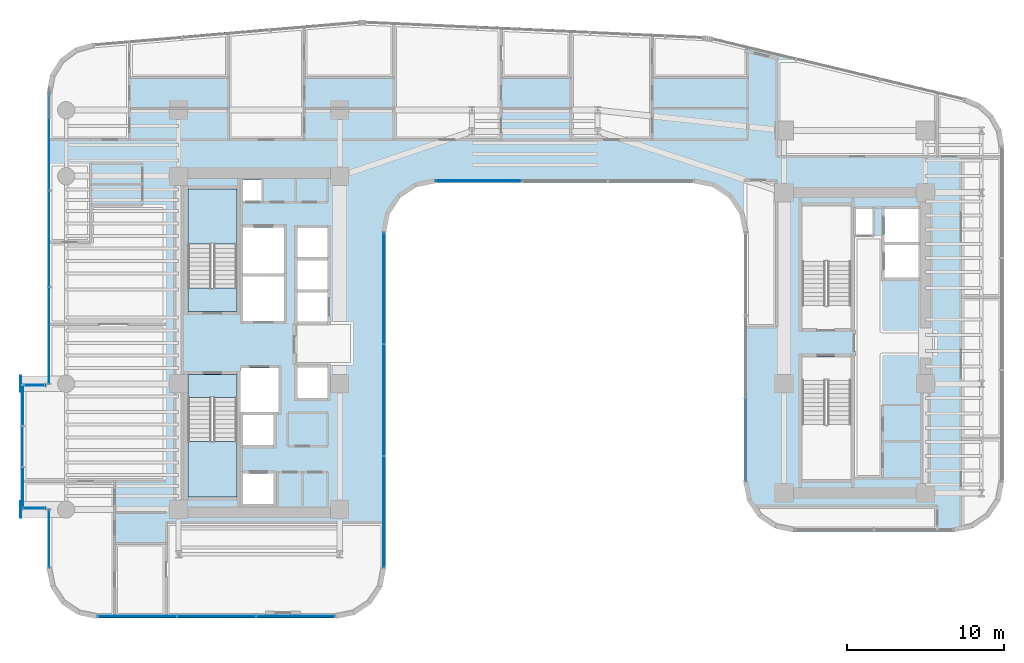
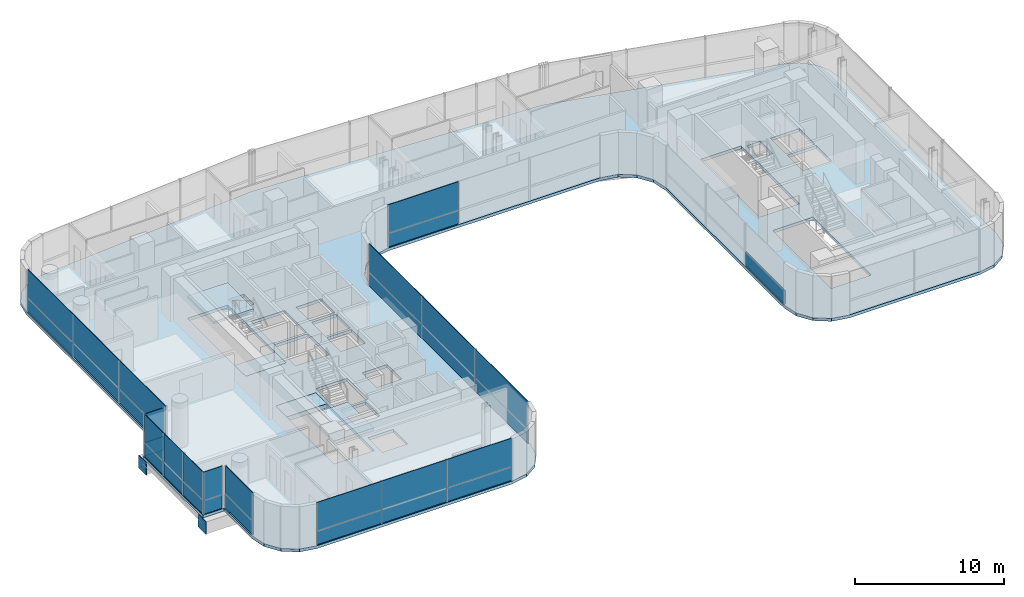
# One storey, part 26 of 38: 31 plates, 5 slabs, 11 elements without a shape of their own.
"""IFC4 building model written with IfcOpenShell, lengths in metres."""

from ifc_helpers import new_model, si_unit, direction, frame, origin, origin_2d, place, context, subcontext, project, spatial, polyline, rectangle, outline, extrude, source, transform, mapped, material, layer, layer_set, type_object, element, aggregate, save


model = new_model("IFC4")

# Units and contexts
model_context = context("Model", 3, precision=1e-05, world=origin(), true_north=direction((0.0, 1.0)))
body_context = subcontext(model_context, "Body", "Model", "MODEL_VIEW")
ifc_project = project(units=[si_unit("LENGTHUNIT", "METRE"), si_unit("AREAUNIT", "SQUARE_METRE"), si_unit("VOLUMEUNIT", "CUBIC_METRE"), si_unit("PLANEANGLEUNIT", "RADIAN"), si_unit("MASSUNIT", "GRAM", prefix="KILO")], contexts=[model_context])

# Site, building, storey
site_placement = place(None, origin())
site = spatial("IfcSite", under=ifc_project, at=site_placement, CompositionType="ELEMENT")
building_placement = place(site_placement, origin())
building = spatial("IfcBuilding", under=site, at=building_placement, Name="Valdorenza Pilgrim Sanctuary Tower", CompositionType="ELEMENT")
storey_placement = place(building_placement, frame((0.0, 0.0, 131.60009765625)))
storey = spatial("IfcBuildingStorey", under=building, at=storey_placement, Name="L33", CompositionType="ELEMENT", Elevation=131.60009765625)

# Slab
ifc_material_1 = material(Name="Concrete C40/50", Category="concrete")
ifc_layer_1 = layer(ifc_material_1, 0.239990234375, Name="Concrete C40/50")
ifc_layer_set_1 = layer_set([ifc_layer_1], Name="Concrete C40/50")
slab_type_1 = type_object("IfcSlabType", Name="SLAB-FLR-220", PredefinedType="FLOOR", material=ifc_layer_set_1)
slab_1_placement = place(storey_placement, frame((0.0, 0.0, -0.239990234375)))
element("IfcSlab", 1, at=slab_1_placement, inside=storey, type_object=slab_type_1, Name="L33 Structural Floor Slab 1", PredefinedType="FLOOR", context=body_context, shape_type="SweptSolid", body=[
    extrude(outline(polyline([(-32.64990234375, -2.60009765625), (-31.0, -2.60009765625), (-31.0, 15.860595703125), (-30.78173828125, 17.022216796875), (-30.156494140625, 18.025390625), (-29.2099609375, 18.733154296875), (-28.071044921875, 19.049072265625), (-11.2080078125, 20.482421875), (-11.0, 20.4931640625), (-10.79150390625, 20.490478515625), (10.6962890625, 19.513916015625), (10.847412109375, 19.50341796875), (10.998046875, 19.485595703125), (11.147705078125, 19.4609375), (11.2958984375, 19.42919921875), (27.344970703125, 15.587646484375), (28.323974609375, 15.17138671875), (29.1123046875, 14.45751953125), (29.623291015625, 13.5244140625), (29.800048828125, 12.4755859375), (29.800048828125, -8.800048828125), (29.556396484375, -10.024658203125), (28.86279296875, -11.062744140625), (27.82470703125, -11.75634765625), (26.60009765625, -12.0), (16.5, -12.0), (15.275390625, -11.75634765625), (14.2373046875, -11.062744140625), (13.543701171875, -10.024658203125), (13.300048828125, -8.800048828125), (13.300048828125, 7.0), (13.056396484375, 8.224609375), (12.36279296875, 9.2626953125), (11.32470703125, 9.956298828125), (10.10009765625, 10.199951171875), (-6.300048828125, 10.199951171875), (-7.524658203125, 9.956298828125), (-8.562744140625, 9.2626953125), (-9.25634765625, 8.224609375), (-9.5, 7.0), (-9.5, -14.300048828125), (-9.74365234375, -15.524658203125), (-10.437255859375, -16.562744140625), (-11.475341796875, -17.25634765625), (-12.699951171875, -17.5), (-27.800048828125, -17.5), (-29.024658203125, -17.25634765625), (-30.062744140625, -16.562744140625), (-30.75634765625, -15.524658203125), (-31.0, -14.300048828125), (-31.0, -10.60009765625), (-32.64990234375, -10.60009765625), (-32.64990234375, -2.60009765625)]), holes=[polyline([(-16.60009765625, -10.25), (-16.60009765625, -8.300048828125), (-18.550048828125, -8.300048828125), (-18.550048828125, -10.25), (-16.60009765625, -10.25)]), polyline([(-22.050048828125, -9.800048828125), (-18.93994140625, -9.800048828125), (-18.93994140625, -3.485107421875), (-18.93994140625, -2.0), (-22.050048828125, -2.0), (-22.050048828125, -3.485107421875), (-22.050048828125, -9.800048828125)]), polyline([(-16.60009765625, -6.5), (-16.60009765625, -4.60009765625), (-18.550048828125, -4.60009765625), (-18.550048828125, -6.5), (-16.60009765625, -6.5)]), polyline([(-18.719970703125, -4.39990234375), (-16.300048828125, -4.39990234375), (-16.300048828125, -1.60009765625), (-18.719970703125, -1.60009765625), (-18.719970703125, -4.39990234375)]), polyline([(-13.179931640625, 1.35009765625), (-13.179931640625, 3.199951171875), (-15.10009765625, 3.199951171875), (-15.10009765625, 1.35009765625), (-13.179931640625, 1.35009765625)]), polyline([(-22.050048828125, 2.0), (-18.93994140625, 2.0), (-18.93994140625, 3.485107421875), (-18.93994140625, 9.800048828125), (-22.050048828125, 9.800048828125), (-22.050048828125, 3.485107421875), (-22.050048828125, 2.0)]), polyline([(-15.949951171875, 1.39990234375), (-15.949951171875, 4.22509765625), (-18.550048828125, 4.22509765625), (-18.550048828125, 1.39990234375), (-15.949951171875, 1.39990234375)]), polyline([(-18.550048828125, 4.425048828125), (-15.949951171875, 4.425048828125), (-15.949951171875, 7.35009765625), (-18.550048828125, 7.35009765625), (-18.550048828125, 4.425048828125)]), polyline([(-17.360107421875, 9.030029296875), (-17.360107421875, 10.35009765625), (-18.570068359375, 10.35009765625), (-18.570068359375, 9.030029296875), (-17.360107421875, 9.030029296875)]), polyline([(17.0, -8.699951171875), (20.110107421875, -8.699951171875), (20.110107421875, -2.385009765625), (20.110107421875, -0.89990234375), (17.0, -0.89990234375), (17.0, -2.385009765625), (17.0, -8.699951171875)]), polyline([(-13.179931640625, -3.5), (-13.179931640625, -1.550048828125), (-15.10009765625, -1.550048828125), (-15.10009765625, -3.5), (-13.179931640625, -3.5)]), polyline([(17.0, 0.89990234375), (20.110107421875, 0.89990234375), (20.110107421875, 2.385009765625), (20.110107421875, 8.699951171875), (17.0, 8.699951171875), (17.0, 2.385009765625), (17.0, 0.89990234375)]), polyline([(-13.179931640625, 3.39990234375), (-13.179931640625, 5.25), (-15.10009765625, 5.25), (-15.10009765625, 3.39990234375), (-13.179931640625, 3.39990234375)]), polyline([(22.25, 4.14990234375), (24.47998046875, 4.14990234375), (24.47998046875, 6.22509765625), (22.25, 6.22509765625), (22.25, 4.14990234375)]), polyline([(-13.179931640625, 5.449951171875), (-13.179931640625, 7.300048828125), (-15.10009765625, 7.300048828125), (-15.10009765625, 5.449951171875), (-13.179931640625, 5.449951171875)]), polyline([(22.25, 6.425048828125), (24.47998046875, 6.425048828125), (24.47998046875, 8.5), (22.25, 8.5), (22.25, 6.425048828125)]), polyline([(20.409912109375, 6.860107421875), (21.489990234375, 6.860107421875), (21.489990234375, 8.52001953125), (20.409912109375, 8.52001953125), (20.409912109375, 6.860107421875)])]), origin(), (0.0, 0.0, 1.0), 0.239990234375),
])

# Stair, slab
stair_type = type_object("IfcStairType", Name="STR-DOG-CORE", PredefinedType="HALF_TURN_STAIR", material=ifc_material_1)
stair_1_placement = place(storey_placement, origin())
stair_1 = element("IfcStair", 2, at=stair_1_placement, inside=storey, type_object=stair_type, Name="L33 ST-A1", PredefinedType="HALF_TURN_STAIR")
ifc_layer_2 = layer(ifc_material_1, 0.199951171875, Name="Concrete C40/50")
ifc_layer_set_2 = layer_set([ifc_layer_2], Name="Concrete C40/50")
slab_type_2 = type_object("IfcSlabType", Name="SLAB-STL-200", PredefinedType="LANDING", material=ifc_layer_set_2)
slab_2_placement = place(storey_placement, frame((0.0, 0.0, 1.64990234375)))
slab_2 = element("IfcSlab", 3, at=slab_2_placement, type_object=slab_type_2, Name="ST-A1 landing 1", PredefinedType="LANDING", context=body_context, shape_type="SweptSolid", body=[
    extrude(outline(polyline([(-18.93994140625, 6.280029296875), (-18.93994140625, 9.800048828125), (-22.050048828125, 9.800048828125), (-22.050048828125, 6.280029296875), (-18.93994140625, 6.280029296875)])), origin(), (0.0, 0.0, 1.0), 0.199951171875),
])
aggregate(stair_1, [slab_2])

stair_2_placement = place(storey_placement, origin())
stair_2 = element("IfcStair", 4, at=stair_2_placement, inside=storey, type_object=stair_type, Name="L33 ST-A2", PredefinedType="HALF_TURN_STAIR")
slab_3_placement = place(storey_placement, frame((0.0, 0.0, 1.64990234375)))
slab_3 = element("IfcSlab", 5, at=slab_3_placement, type_object=slab_type_2, Name="ST-A2 landing 1", PredefinedType="LANDING", context=body_context, shape_type="SweptSolid", body=[
    extrude(outline(polyline([(-22.050048828125, -6.280029296875), (-22.050048828125, -9.800048828125), (-18.93994140625, -9.800048828125), (-18.93994140625, -6.280029296875), (-22.050048828125, -6.280029296875)])), origin(), (0.0, 0.0, 1.0), 0.199951171875),
])
aggregate(stair_2, [slab_3])

# Slabs
ifc_material_2 = material(Name="Concrete C50/60", Category="concrete")
ifc_layer_3 = layer(ifc_material_2, 0.39990234375, Name="Concrete C50/60")
ifc_layer_set_3 = layer_set([ifc_layer_3], Name="Concrete C50/60")
slab_type_3 = type_object("IfcSlabType", Name="SLAB-TRF-400", PredefinedType="FLOOR", material=ifc_layer_set_3)
slab_4_placement = place(storey_placement, frame((0.0, 0.0, -0.360107421875)))
element("IfcSlab", 6, at=slab_4_placement, inside=storey, type_object=slab_type_3, Name="L33 ST-A1 Structural Stair Landing Bearing Slab", PredefinedType="FLOOR", context=body_context, shape_type="SweptSolid", body=[
    extrude(outline(polyline([(-22.050048828125, 2.0), (-18.93994140625, 2.0), (-18.93994140625, 3.485107421875), (-22.050048828125, 3.485107421875), (-22.050048828125, 2.0)])), origin(), (0.0, 0.0, 1.0), 0.360107421875),
])
slab_5_placement = place(storey_placement, frame((0.0, 0.0, -0.360107421875)))
element("IfcSlab", 7, at=slab_5_placement, inside=storey, type_object=slab_type_3, Name="L33 ST-A2 Structural Stair Landing Bearing Slab", PredefinedType="FLOOR", context=body_context, shape_type="SweptSolid", body=[
    extrude(outline(polyline([(-22.050048828125, -3.485107421875), (-18.93994140625, -3.485107421875), (-18.93994140625, -2.0), (-22.050048828125, -2.0), (-22.050048828125, -3.485107421875)])), origin(), (0.0, 0.0, 1.0), 0.360107421875),
])

# Plates
ifc_material_3 = material(Name="Steel ASTM A572 Grade 42", Category="steel")
ifc_layer_4 = layer(ifc_material_3, 0.06005859375, Name="Steel ASTM A572 Grade 42")
ifc_layer_set_4 = layer_set([ifc_layer_4], Name="Steel ASTM A572 Grade 42")
plate_type_1 = type_object("IfcPlateType", Name="PLT-CAP-60", PredefinedType="SHEET", material=ifc_layer_set_4)
shared_shape_1 = source(origin(), body_context, "Body", "SweptSolid", [
    extrude(rectangle(XDim=0.06005859375, YDim=1.0400390625, at=origin_2d()), origin(), (0.0, 0.0, 1.0), 1.0400390625),
])
for number, where, z_axis, x_axis, name in (
    (8, (-32.679931640625, -2.60009765625, -1.260009765625), (0.0, 0.0, 1.0), (1.0, 0.0, 0.0), "L33 BOX-WA-L33 Cantilever Tip End Cap N"),
    (9, (-32.679931640625, -10.60009765625, -1.260009765625), (0.0, 0.0, 1.0), (1.0, 0.0, 0.0), "L33 BOX-WA-L33 Cantilever Tip End Cap S"),
):
    element("IfcPlate", number, at=place(storey_placement, frame(where, z_axis=z_axis, x_axis=x_axis)), inside=storey, type_object=plate_type_1, Name=name, PredefinedType="SHEET", context=body_context, shape_type="MappedRepresentation", body=[
        mapped(shared_shape_1, transform((0.0, 0.0, 0.0), x_axis=(1.0, 0.0, 0.0), y_axis=(0.0, 1.0, 0.0), z_axis=(0.0, 0.0, 1.0), scale=1.0)),
    ])

# Curtain wall, plates
ifc_material_4 = material(Name="Curtain-wall IGU glazing", Category="glass")
curtain_wall_type_1 = type_object("IfcCurtainWallType", Name="CW-SYS-02", PredefinedType="NOTDEFINED", material=ifc_material_4)
curtain_wall_1_placement = place(storey_placement, origin())
curtain_wall_1 = element("IfcCurtainWall", 10, at=curtain_wall_1_placement, inside=storey, type_object=curtain_wall_type_1, Name="L33 Curtain Wall CW-L33-1-36", PredefinedType="NOTDEFINED")
ifc_material_5 = material(Name="Honed travertine limestone", Category="masonry")
ifc_layer_5 = layer(ifc_material_5, 0.050048828125, Name="Honed travertine limestone")
ifc_layer_set_5 = layer_set([ifc_layer_5], Name="Honed travertine limestone")
plate_type_2 = type_object("IfcPlateType", Name="CW-SPN-TRV", PredefinedType="USERDEFINED", material=ifc_layer_set_5)
shared_shape_2 = source(origin(), body_context, "Body", "SweptSolid", [
    extrude(rectangle(XDim=5.453857421875, YDim=0.06005859375, at=origin_2d()), origin(), (0.0, 0.0, 1.0), 1.10009765625),
])
plate_1_placement = place(storey_placement, frame((-3.573974609375, 10.31005859375, 0.009765625), z_axis=(0.0, 0.0, 1.0), x_axis=(-1.0, 0.0, 0.0)))
plate_1 = element("IfcPlate", 11, at=plate_1_placement, type_object=plate_type_2, Name="CW-L33-1-36 Travertine Spandrel 3", ObjectType="SPANDREL", PredefinedType="USERDEFINED", context=body_context, shape_type="MappedRepresentation", body=[
    mapped(shared_shape_2, transform((0.0, 0.0, 0.0), x_axis=(1.0, 0.0, 0.0), y_axis=(0.0, 1.0, 0.0), z_axis=(0.0, 0.0, 1.0), scale=1.0)),
])
ifc_material_6 = material(Name="Ceramic-fritted low-E IGU glazing", Category="glass")
ifc_layer_6 = layer(ifc_material_6, 0.035888671875, Name="Ceramic-fritted low-E IGU glazing")
ifc_layer_set_6 = layer_set([ifc_layer_6], Name="Ceramic-fritted low-E IGU glazing")
plate_type_3 = type_object("IfcPlateType", Name="CW-GLZ-IGU", PredefinedType="USERDEFINED", material=ifc_layer_set_6)
shared_shape_3 = source(origin(), body_context, "Body", "SweptSolid", [
    extrude(rectangle(XDim=5.453857421875, YDim=0.050048828125, at=origin_2d()), origin(), (0.0, 0.0, 1.0), 2.320068359375),
])
plate_2_placement = place(storey_placement, frame((-3.573974609375, 10.31005859375, 1.1298828125), z_axis=(0.0, 0.0, 1.0), x_axis=(-1.0, 0.0, 0.0)))
plate_2 = element("IfcPlate", 12, at=plate_2_placement, type_object=plate_type_3, Name="CW-L33-1-36 Facade Panel 3", ObjectType="GLAZING", PredefinedType="USERDEFINED", context=body_context, shape_type="MappedRepresentation", body=[
    mapped(shared_shape_3, transform((0.0, 0.0, 0.0), x_axis=(1.0, 0.0, 0.0), y_axis=(0.0, 1.0, 0.0), z_axis=(0.0, 0.0, 1.0), scale=1.0)),
])
aggregate(curtain_wall_1, [plate_1, plate_2])

# Curtain wall, plate
curtain_wall_2_placement = place(storey_placement, origin())
curtain_wall_2 = element("IfcCurtainWall", 13, at=curtain_wall_2_placement, inside=storey, type_object=curtain_wall_type_1, Name="L33 Curtain Wall CW-L33-BOX-WA-L33-S", PredefinedType="NOTDEFINED")
shared_shape_4 = source(origin(), body_context, "Body", "SweptSolid", [
    extrude(rectangle(XDim=1.43994140625, YDim=0.06005859375, at=origin_2d()), origin(), (0.0, 0.0, 1.0), 1.10009765625),
])
plate_3_placement = place(storey_placement, frame((-31.840087890625, -10.52001953125, 0.009765625), z_axis=(0.0, 0.0, 1.0), x_axis=(-1.0, 0.0, 0.0)))
plate_3 = element("IfcPlate", 14, at=plate_3_placement, type_object=plate_type_2, Name="CW-L33-BOX-WA-L33-S Travertine Spandrel 1", ObjectType="SPANDREL", PredefinedType="USERDEFINED", context=body_context, shape_type="MappedRepresentation", body=[
    mapped(shared_shape_4, transform((0.0, 0.0, 0.0), x_axis=(1.0, 0.0, 0.0), y_axis=(0.0, 1.0, 0.0), z_axis=(0.0, 0.0, 1.0), scale=1.0)),
])

curtain_wall_3_placement = place(storey_placement, origin())
curtain_wall_3 = element("IfcCurtainWall", 15, at=curtain_wall_3_placement, inside=storey, type_object=curtain_wall_type_1, Name="L33 Curtain Wall CW-L33-BOX-WA-L33-N", PredefinedType="NOTDEFINED")
plate_4_placement = place(storey_placement, frame((-31.840087890625, -2.679931640625, 0.009765625), z_axis=(0.0, 0.0, 1.0), x_axis=(1.0, 0.0, 0.0)))
plate_4 = element("IfcPlate", 16, at=plate_4_placement, type_object=plate_type_2, Name="CW-L33-BOX-WA-L33-N Travertine Spandrel 1", ObjectType="SPANDREL", PredefinedType="USERDEFINED", context=body_context, shape_type="MappedRepresentation", body=[
    mapped(shared_shape_4, transform((0.0, 0.0, 0.0), x_axis=(1.0, 0.0, 0.0), y_axis=(0.0, 1.0, 0.0), z_axis=(0.0, 0.0, 1.0), scale=1.0)),
])

# Plate
shared_shape_5 = source(origin(), body_context, "Body", "SweptSolid", [
    extrude(rectangle(XDim=1.43994140625, YDim=0.050048828125, at=origin_2d()), origin(), (0.0, 0.0, 1.0), 2.320068359375),
])
plate_5_placement = place(storey_placement, frame((-31.840087890625, -10.52001953125, 1.1298828125), z_axis=(0.0, 0.0, 1.0), x_axis=(-1.0, 0.0, 0.0)))
plate_5 = element("IfcPlate", 17, at=plate_5_placement, type_object=plate_type_3, Name="CW-L33-BOX-WA-L33-S Facade Panel 1", ObjectType="GLAZING", PredefinedType="USERDEFINED", context=body_context, shape_type="MappedRepresentation", body=[
    mapped(shared_shape_5, transform((0.0, 0.0, 0.0), x_axis=(1.0, 0.0, 0.0), y_axis=(0.0, 1.0, 0.0), z_axis=(0.0, 0.0, 1.0), scale=1.0)),
])

aggregate(curtain_wall_2, [plate_3, plate_5])

plate_6_placement = place(storey_placement, frame((-31.840087890625, -2.679931640625, 1.1298828125), z_axis=(0.0, 0.0, 1.0), x_axis=(1.0, 0.0, 0.0)))
plate_6 = element("IfcPlate", 18, at=plate_6_placement, type_object=plate_type_3, Name="CW-L33-BOX-WA-L33-N Facade Panel 1", ObjectType="GLAZING", PredefinedType="USERDEFINED", context=body_context, shape_type="MappedRepresentation", body=[
    mapped(shared_shape_5, transform((0.0, 0.0, 0.0), x_axis=(1.0, 0.0, 0.0), y_axis=(0.0, 1.0, 0.0), z_axis=(0.0, 0.0, 1.0), scale=1.0)),
])

aggregate(curtain_wall_3, [plate_4, plate_6])

# Curtain wall, plates
curtain_wall_4_placement = place(storey_placement, origin())
curtain_wall_4 = element("IfcCurtainWall", 19, at=curtain_wall_4_placement, inside=storey, type_object=curtain_wall_type_1, Name="L33 Curtain Wall CW-L33-BOX-WA-L33-F", PredefinedType="NOTDEFINED")
shared_shape_6 = source(origin(), body_context, "Body", "SweptSolid", [
    extrude(rectangle(XDim=2.59326171875, YDim=0.06005859375, at=origin_2d()), origin(), (0.0, 0.0, 1.0), 1.10009765625),
])
plate_7_placement = place(storey_placement, frame((-32.570068359375, -9.21337890625, 0.009765625), z_axis=(0.0, 0.0, 1.0), x_axis=(0.0, 1.0, 0.0)))
plate_7 = element("IfcPlate", 20, at=plate_7_placement, type_object=plate_type_2, Name="CW-L33-BOX-WA-L33-F Travertine Spandrel 1", ObjectType="SPANDREL", PredefinedType="USERDEFINED", context=body_context, shape_type="MappedRepresentation", body=[
    mapped(shared_shape_6, transform((0.0, 0.0, 0.0), x_axis=(1.0, 0.0, 0.0), y_axis=(0.0, 1.0, 0.0), z_axis=(0.0, 0.0, 1.0), scale=1.0)),
])
plate_8_placement = place(storey_placement, frame((-32.570068359375, -3.98681640625, 0.009765625), z_axis=(0.0, 0.0, 1.0), x_axis=(0.0, 1.0, 0.0)))
plate_8 = element("IfcPlate", 21, at=plate_8_placement, type_object=plate_type_2, Name="CW-L33-BOX-WA-L33-F Travertine Spandrel 3", ObjectType="SPANDREL", PredefinedType="USERDEFINED", context=body_context, shape_type="MappedRepresentation", body=[
    mapped(shared_shape_6, transform((0.0, 0.0, 0.0), x_axis=(1.0, 0.0, 0.0), y_axis=(0.0, 1.0, 0.0), z_axis=(0.0, 0.0, 1.0), scale=1.0)),
])
shared_shape_7 = source(origin(), body_context, "Body", "SweptSolid", [
    extrude(rectangle(XDim=2.59326171875, YDim=0.050048828125, at=origin_2d()), origin(), (0.0, 0.0, 1.0), 2.320068359375),
])
plate_9_placement = place(storey_placement, frame((-32.570068359375, -9.21337890625, 1.1298828125), z_axis=(0.0, 0.0, 1.0), x_axis=(0.0, 1.0, 0.0)))
plate_9 = element("IfcPlate", 22, at=plate_9_placement, type_object=plate_type_3, Name="CW-L33-BOX-WA-L33-F Facade Panel 1", ObjectType="GLAZING", PredefinedType="USERDEFINED", context=body_context, shape_type="MappedRepresentation", body=[
    mapped(shared_shape_7, transform((0.0, 0.0, 0.0), x_axis=(1.0, 0.0, 0.0), y_axis=(0.0, 1.0, 0.0), z_axis=(0.0, 0.0, 1.0), scale=1.0)),
])
plate_10_placement = place(storey_placement, frame((-32.570068359375, -3.98681640625, 1.1298828125), z_axis=(0.0, 0.0, 1.0), x_axis=(0.0, 1.0, 0.0)))
plate_10 = element("IfcPlate", 23, at=plate_10_placement, type_object=plate_type_3, Name="CW-L33-BOX-WA-L33-F Facade Panel 3", ObjectType="GLAZING", PredefinedType="USERDEFINED", context=body_context, shape_type="MappedRepresentation", body=[
    mapped(shared_shape_7, transform((0.0, 0.0, 0.0), x_axis=(1.0, 0.0, 0.0), y_axis=(0.0, 1.0, 0.0), z_axis=(0.0, 0.0, 1.0), scale=1.0)),
])
shared_shape_8 = source(origin(), body_context, "Body", "SweptSolid", [
    extrude(rectangle(XDim=2.59326171875, YDim=0.050048828125, at=origin_2d()), origin(), (0.0, 0.0, 1.0), 3.43994140625),
])
plate_11_placement = place(storey_placement, frame((-32.570068359375, -6.60009765625, 0.010009765625), z_axis=(0.0, 0.0, 1.0), x_axis=(0.0, 1.0, 0.0)))
plate_11 = element("IfcPlate", 24, at=plate_11_placement, type_object=plate_type_3, Name="CW-L33-BOX-WA-L33-F Full-Height Facade Panel 2", ObjectType="GLAZING", PredefinedType="USERDEFINED", context=body_context, shape_type="MappedRepresentation", body=[
    mapped(shared_shape_8, transform((0.0, 0.0, 0.0), x_axis=(1.0, 0.0, 0.0), y_axis=(0.0, 1.0, 0.0), z_axis=(0.0, 0.0, 1.0), scale=1.0)),
])
aggregate(curtain_wall_4, [plate_7, plate_9, plate_11, plate_8, plate_10])

# Curtain wall, plate
curtain_wall_type_2 = type_object("IfcCurtainWallType", Name="CW-SYS-03", PredefinedType="NOTDEFINED", material=ifc_material_4)
curtain_wall_5_placement = place(storey_placement, origin())
curtain_wall_5 = element("IfcCurtainWall", 25, at=curtain_wall_5_placement, inside=storey, type_object=curtain_wall_type_2, Name="L33 Curtain Wall CW-L33-1-31", PredefinedType="NOTDEFINED")
shared_shape_9 = source(origin(), body_context, "Body", "SweptSolid", [
    extrude(rectangle(XDim=5.24658203125, YDim=0.06005859375, at=origin_2d()), origin(), (0.0, 0.0, 1.0), 1.10009765625),
])
plate_12_placement = place(storey_placement, frame((13.409912109375, -6.156005859375, 0.009765625), z_axis=(0.0, 0.0, 1.0), x_axis=(0.0, 1.0, 0.0)))
plate_12 = element("IfcPlate", 26, at=plate_12_placement, type_object=plate_type_2, Name="CW-L33-1-31 Travertine Spandrel 1", ObjectType="SPANDREL", PredefinedType="USERDEFINED", context=body_context, shape_type="MappedRepresentation", body=[
    mapped(shared_shape_9, transform((0.0, 0.0, 0.0), x_axis=(1.0, 0.0, 0.0), y_axis=(0.0, 1.0, 0.0), z_axis=(0.0, 0.0, 1.0), scale=1.0)),
])
aggregate(curtain_wall_5, [plate_12])

# Curtain wall, plates
curtain_wall_6_placement = place(storey_placement, origin())
curtain_wall_6 = element("IfcCurtainWall", 27, at=curtain_wall_6_placement, inside=storey, type_object=curtain_wall_type_1, Name="L33 Curtain Wall CW-L33-1-41", PredefinedType="NOTDEFINED")
shared_shape_10 = source(origin(), body_context, "Body", "SweptSolid", [
    extrude(rectangle(XDim=7.080078125, YDim=0.06005859375, at=origin_2d()), origin(), (0.0, 0.0, 1.0), 1.10009765625),
])
plate_13_placement = place(storey_placement, frame((-9.610107421875, 3.460693359375, 0.009765625), z_axis=(0.0, 0.0, 1.0), x_axis=(0.0, -1.0, 0.0)))
plate_13 = element("IfcPlate", 28, at=plate_13_placement, type_object=plate_type_2, Name="CW-L33-1-41 Travertine Spandrel 1", ObjectType="SPANDREL", PredefinedType="USERDEFINED", context=body_context, shape_type="MappedRepresentation", body=[
    mapped(shared_shape_10, transform((0.0, 0.0, 0.0), x_axis=(1.0, 0.0, 0.0), y_axis=(0.0, 1.0, 0.0), z_axis=(0.0, 0.0, 1.0), scale=1.0)),
])
plate_14_placement = place(storey_placement, frame((-9.610107421875, -10.7392578125, 0.009765625), z_axis=(0.0, 0.0, 1.0), x_axis=(0.0, -1.0, 0.0)))
plate_14 = element("IfcPlate", 29, at=plate_14_placement, type_object=plate_type_2, Name="CW-L33-1-41 Travertine Spandrel 3", ObjectType="SPANDREL", PredefinedType="USERDEFINED", context=body_context, shape_type="MappedRepresentation", body=[
    mapped(shared_shape_10, transform((0.0, 0.0, 0.0), x_axis=(1.0, 0.0, 0.0), y_axis=(0.0, 1.0, 0.0), z_axis=(0.0, 0.0, 1.0), scale=1.0)),
])
shared_shape_11 = source(origin(), body_context, "Body", "SweptSolid", [
    extrude(rectangle(XDim=7.080078125, YDim=0.050048828125, at=origin_2d()), origin(), (0.0, 0.0, 1.0), 2.320068359375),
])
plate_15_placement = place(storey_placement, frame((-9.610107421875, 3.460693359375, 1.1298828125), z_axis=(0.0, 0.0, 1.0), x_axis=(0.0, -1.0, 0.0)))
plate_15 = element("IfcPlate", 30, at=plate_15_placement, type_object=plate_type_3, Name="CW-L33-1-41 Facade Panel 1", ObjectType="GLAZING", PredefinedType="USERDEFINED", context=body_context, shape_type="MappedRepresentation", body=[
    mapped(shared_shape_11, transform((0.0, 0.0, 0.0), x_axis=(1.0, 0.0, 0.0), y_axis=(0.0, 1.0, 0.0), z_axis=(0.0, 0.0, 1.0), scale=1.0)),
])
plate_16_placement = place(storey_placement, frame((-9.610107421875, -10.7392578125, 1.1298828125), z_axis=(0.0, 0.0, 1.0), x_axis=(0.0, -1.0, 0.0)))
plate_16 = element("IfcPlate", 31, at=plate_16_placement, type_object=plate_type_3, Name="CW-L33-1-41 Facade Panel 3", ObjectType="GLAZING", PredefinedType="USERDEFINED", context=body_context, shape_type="MappedRepresentation", body=[
    mapped(shared_shape_11, transform((0.0, 0.0, 0.0), x_axis=(1.0, 0.0, 0.0), y_axis=(0.0, 1.0, 0.0), z_axis=(0.0, 0.0, 1.0), scale=1.0)),
])
shared_shape_12 = source(origin(), body_context, "Body", "SweptSolid", [
    extrude(rectangle(XDim=7.080078125, YDim=0.050048828125, at=origin_2d()), origin(), (0.0, 0.0, 1.0), 3.43994140625),
])
plate_17_placement = place(storey_placement, frame((-9.610107421875, -3.63916015625, 0.010009765625), z_axis=(0.0, 0.0, 1.0), x_axis=(0.0, -1.0, 0.0)))
plate_17 = element("IfcPlate", 32, at=plate_17_placement, type_object=plate_type_3, Name="CW-L33-1-41 Full-Height Facade Panel 2", ObjectType="GLAZING", PredefinedType="USERDEFINED", context=body_context, shape_type="MappedRepresentation", body=[
    mapped(shared_shape_12, transform((0.0, 0.0, 0.0), x_axis=(1.0, 0.0, 0.0), y_axis=(0.0, 1.0, 0.0), z_axis=(0.0, 0.0, 1.0), scale=1.0)),
])
aggregate(curtain_wall_6, [plate_13, plate_15, plate_17, plate_14, plate_16])

curtain_wall_7_placement = place(storey_placement, origin())
curtain_wall_7 = element("IfcCurtainWall", 33, at=curtain_wall_7_placement, inside=storey, type_object=curtain_wall_type_1, Name="L33 Curtain Wall CW-L33-1-46", PredefinedType="NOTDEFINED")
shared_shape_13 = source(origin(), body_context, "Body", "SweptSolid", [
    extrude(rectangle(XDim=5.006103515625, YDim=0.06005859375, at=origin_2d()), origin(), (0.0, 0.0, 1.0), 1.10009765625),
])
plate_18_placement = place(storey_placement, frame((-15.223876953125, -17.389892578125, 0.009765625), z_axis=(0.0, 0.0, 1.0), x_axis=(-1.0, 0.0, 0.0)))
plate_18 = element("IfcPlate", 34, at=plate_18_placement, type_object=plate_type_2, Name="CW-L33-1-46 Travertine Spandrel 1", ObjectType="SPANDREL", PredefinedType="USERDEFINED", context=body_context, shape_type="MappedRepresentation", body=[
    mapped(shared_shape_13, transform((0.0, 0.0, 0.0), x_axis=(1.0, 0.0, 0.0), y_axis=(0.0, 1.0, 0.0), z_axis=(0.0, 0.0, 1.0), scale=1.0)),
])
plate_19_placement = place(storey_placement, frame((-25.276123046875, -17.389892578125, 0.009765625), z_axis=(0.0, 0.0, 1.0), x_axis=(-1.0, 0.0, 0.0)))
plate_19 = element("IfcPlate", 35, at=plate_19_placement, type_object=plate_type_2, Name="CW-L33-1-46 Travertine Spandrel 3", ObjectType="SPANDREL", PredefinedType="USERDEFINED", context=body_context, shape_type="MappedRepresentation", body=[
    mapped(shared_shape_13, transform((0.0, 0.0, 0.0), x_axis=(1.0, 0.0, 0.0), y_axis=(0.0, 1.0, 0.0), z_axis=(0.0, 0.0, 1.0), scale=1.0)),
])
shared_shape_14 = source(origin(), body_context, "Body", "SweptSolid", [
    extrude(rectangle(XDim=5.006103515625, YDim=0.050048828125, at=origin_2d()), origin(), (0.0, 0.0, 1.0), 2.320068359375),
])
plate_20_placement = place(storey_placement, frame((-15.223876953125, -17.389892578125, 1.1298828125), z_axis=(0.0, 0.0, 1.0), x_axis=(-1.0, 0.0, 0.0)))
plate_20 = element("IfcPlate", 36, at=plate_20_placement, type_object=plate_type_3, Name="CW-L33-1-46 Facade Panel 1", ObjectType="GLAZING", PredefinedType="USERDEFINED", context=body_context, shape_type="MappedRepresentation", body=[
    mapped(shared_shape_14, transform((0.0, 0.0, 0.0), x_axis=(1.0, 0.0, 0.0), y_axis=(0.0, 1.0, 0.0), z_axis=(0.0, 0.0, 1.0), scale=1.0)),
])
plate_21_placement = place(storey_placement, frame((-25.276123046875, -17.389892578125, 1.1298828125), z_axis=(0.0, 0.0, 1.0), x_axis=(-1.0, 0.0, 0.0)))
plate_21 = element("IfcPlate", 37, at=plate_21_placement, type_object=plate_type_3, Name="CW-L33-1-46 Facade Panel 3", ObjectType="GLAZING", PredefinedType="USERDEFINED", context=body_context, shape_type="MappedRepresentation", body=[
    mapped(shared_shape_14, transform((0.0, 0.0, 0.0), x_axis=(1.0, 0.0, 0.0), y_axis=(0.0, 1.0, 0.0), z_axis=(0.0, 0.0, 1.0), scale=1.0)),
])
shared_shape_15 = source(origin(), body_context, "Body", "SweptSolid", [
    extrude(rectangle(XDim=5.006103515625, YDim=0.050048828125, at=origin_2d()), origin(), (0.0, 0.0, 1.0), 3.43994140625),
])
plate_22_placement = place(storey_placement, frame((-20.25, -17.389892578125, 0.010009765625), z_axis=(0.0, 0.0, 1.0), x_axis=(-1.0, 0.0, 0.0)))
plate_22 = element("IfcPlate", 38, at=plate_22_placement, type_object=plate_type_3, Name="CW-L33-1-46 Full-Height Facade Panel 2", ObjectType="GLAZING", PredefinedType="USERDEFINED", context=body_context, shape_type="MappedRepresentation", body=[
    mapped(shared_shape_15, transform((0.0, 0.0, 0.0), x_axis=(1.0, 0.0, 0.0), y_axis=(0.0, 1.0, 0.0), z_axis=(0.0, 0.0, 1.0), scale=1.0)),
])
aggregate(curtain_wall_7, [plate_18, plate_20, plate_22, plate_19, plate_21])

curtain_wall_8_placement = place(storey_placement, origin())
curtain_wall_8 = element("IfcCurtainWall", 39, at=curtain_wall_8_placement, inside=storey, type_object=curtain_wall_type_1, Name="L33 Curtain Wall CW-L33-1-1S1", PredefinedType="NOTDEFINED")
shared_shape_16 = source(origin(), body_context, "Body", "SweptSolid", [
    extrude(rectangle(XDim=3.669189453125, YDim=0.06005859375, at=origin_2d()), origin(), (0.0, 0.0, 1.0), 1.10009765625),
])
plate_23_placement = place(storey_placement, frame((-30.889892578125, -12.444580078125, 0.009765625), z_axis=(0.0, 0.0, 1.0), x_axis=(0.0, 1.0, 0.0)))
plate_23 = element("IfcPlate", 40, at=plate_23_placement, type_object=plate_type_2, Name="CW-L33-1-1S1 Travertine Spandrel 1", ObjectType="SPANDREL", PredefinedType="USERDEFINED", context=body_context, shape_type="MappedRepresentation", body=[
    mapped(shared_shape_16, transform((0.0, 0.0, 0.0), x_axis=(1.0, 0.0, 0.0), y_axis=(0.0, 1.0, 0.0), z_axis=(0.0, 0.0, 1.0), scale=1.0)),
])
shared_shape_17 = source(origin(), body_context, "Body", "SweptSolid", [
    extrude(rectangle(XDim=3.669189453125, YDim=0.050048828125, at=origin_2d()), origin(), (0.0, 0.0, 1.0), 2.320068359375),
])
plate_24_placement = place(storey_placement, frame((-30.889892578125, -12.444580078125, 1.1298828125), z_axis=(0.0, 0.0, 1.0), x_axis=(0.0, 1.0, 0.0)))
plate_24 = element("IfcPlate", 41, at=plate_24_placement, type_object=plate_type_3, Name="CW-L33-1-1S1 Facade Panel 1", ObjectType="GLAZING", PredefinedType="USERDEFINED", context=body_context, shape_type="MappedRepresentation", body=[
    mapped(shared_shape_17, transform((0.0, 0.0, 0.0), x_axis=(1.0, 0.0, 0.0), y_axis=(0.0, 1.0, 0.0), z_axis=(0.0, 0.0, 1.0), scale=1.0)),
])
aggregate(curtain_wall_8, [plate_23, plate_24])

curtain_wall_9_placement = place(storey_placement, origin())
curtain_wall_9 = element("IfcCurtainWall", 42, at=curtain_wall_9_placement, inside=storey, type_object=curtain_wall_type_1, Name="L33 Curtain Wall CW-L33-1-1S2", PredefinedType="NOTDEFINED")
shared_shape_18 = source(origin(), body_context, "Body", "SweptSolid", [
    extrude(rectangle(XDim=6.130126953125, YDim=0.06005859375, at=origin_2d()), origin(), (0.0, 0.0, 1.0), 1.10009765625),
])
plate_25_placement = place(storey_placement, frame((-30.889892578125, 0.47509765625, 0.009765625), z_axis=(0.0, 0.0, 1.0), x_axis=(0.0, 1.0, 0.0)))
plate_25 = element("IfcPlate", 43, at=plate_25_placement, type_object=plate_type_2, Name="CW-L33-1-1S2 Travertine Spandrel 1", ObjectType="SPANDREL", PredefinedType="USERDEFINED", context=body_context, shape_type="MappedRepresentation", body=[
    mapped(shared_shape_18, transform((0.0, 0.0, 0.0), x_axis=(1.0, 0.0, 0.0), y_axis=(0.0, 1.0, 0.0), z_axis=(0.0, 0.0, 1.0), scale=1.0)),
])
plate_26_placement = place(storey_placement, frame((-30.889892578125, 12.775390625, 0.009765625), z_axis=(0.0, 0.0, 1.0), x_axis=(0.0, 1.0, 0.0)))
plate_26 = element("IfcPlate", 44, at=plate_26_placement, type_object=plate_type_2, Name="CW-L33-1-1S2 Travertine Spandrel 3", ObjectType="SPANDREL", PredefinedType="USERDEFINED", context=body_context, shape_type="MappedRepresentation", body=[
    mapped(shared_shape_18, transform((0.0, 0.0, 0.0), x_axis=(1.0, 0.0, 0.0), y_axis=(0.0, 1.0, 0.0), z_axis=(0.0, 0.0, 1.0), scale=1.0)),
])
shared_shape_19 = source(origin(), body_context, "Body", "SweptSolid", [
    extrude(rectangle(XDim=6.130126953125, YDim=0.050048828125, at=origin_2d()), origin(), (0.0, 0.0, 1.0), 2.320068359375),
])
plate_27_placement = place(storey_placement, frame((-30.889892578125, 0.47509765625, 1.1298828125), z_axis=(0.0, 0.0, 1.0), x_axis=(0.0, 1.0, 0.0)))
plate_27 = element("IfcPlate", 45, at=plate_27_placement, type_object=plate_type_3, Name="CW-L33-1-1S2 Facade Panel 1", ObjectType="GLAZING", PredefinedType="USERDEFINED", context=body_context, shape_type="MappedRepresentation", body=[
    mapped(shared_shape_19, transform((0.0, 0.0, 0.0), x_axis=(1.0, 0.0, 0.0), y_axis=(0.0, 1.0, 0.0), z_axis=(0.0, 0.0, 1.0), scale=1.0)),
])
plate_28_placement = place(storey_placement, frame((-30.889892578125, 12.775390625, 1.1298828125), z_axis=(0.0, 0.0, 1.0), x_axis=(0.0, 1.0, 0.0)))
plate_28 = element("IfcPlate", 46, at=plate_28_placement, type_object=plate_type_3, Name="CW-L33-1-1S2 Facade Panel 3", ObjectType="GLAZING", PredefinedType="USERDEFINED", context=body_context, shape_type="MappedRepresentation", body=[
    mapped(shared_shape_19, transform((0.0, 0.0, 0.0), x_axis=(1.0, 0.0, 0.0), y_axis=(0.0, 1.0, 0.0), z_axis=(0.0, 0.0, 1.0), scale=1.0)),
])
shared_shape_20 = source(origin(), body_context, "Body", "SweptSolid", [
    extrude(rectangle(XDim=6.130126953125, YDim=0.050048828125, at=origin_2d()), origin(), (0.0, 0.0, 1.0), 3.43994140625),
])
plate_29_placement = place(storey_placement, frame((-30.889892578125, 6.625244140625, 0.010009765625), z_axis=(0.0, 0.0, 1.0), x_axis=(0.0, 1.0, 0.0)))
plate_29 = element("IfcPlate", 47, at=plate_29_placement, type_object=plate_type_3, Name="CW-L33-1-1S2 Full-Height Facade Panel 2", ObjectType="GLAZING", PredefinedType="USERDEFINED", context=body_context, shape_type="MappedRepresentation", body=[
    mapped(shared_shape_20, transform((0.0, 0.0, 0.0), x_axis=(1.0, 0.0, 0.0), y_axis=(0.0, 1.0, 0.0), z_axis=(0.0, 0.0, 1.0), scale=1.0)),
])
aggregate(curtain_wall_9, [plate_25, plate_27, plate_29, plate_26, plate_28])

save(model, "model.ifc")
